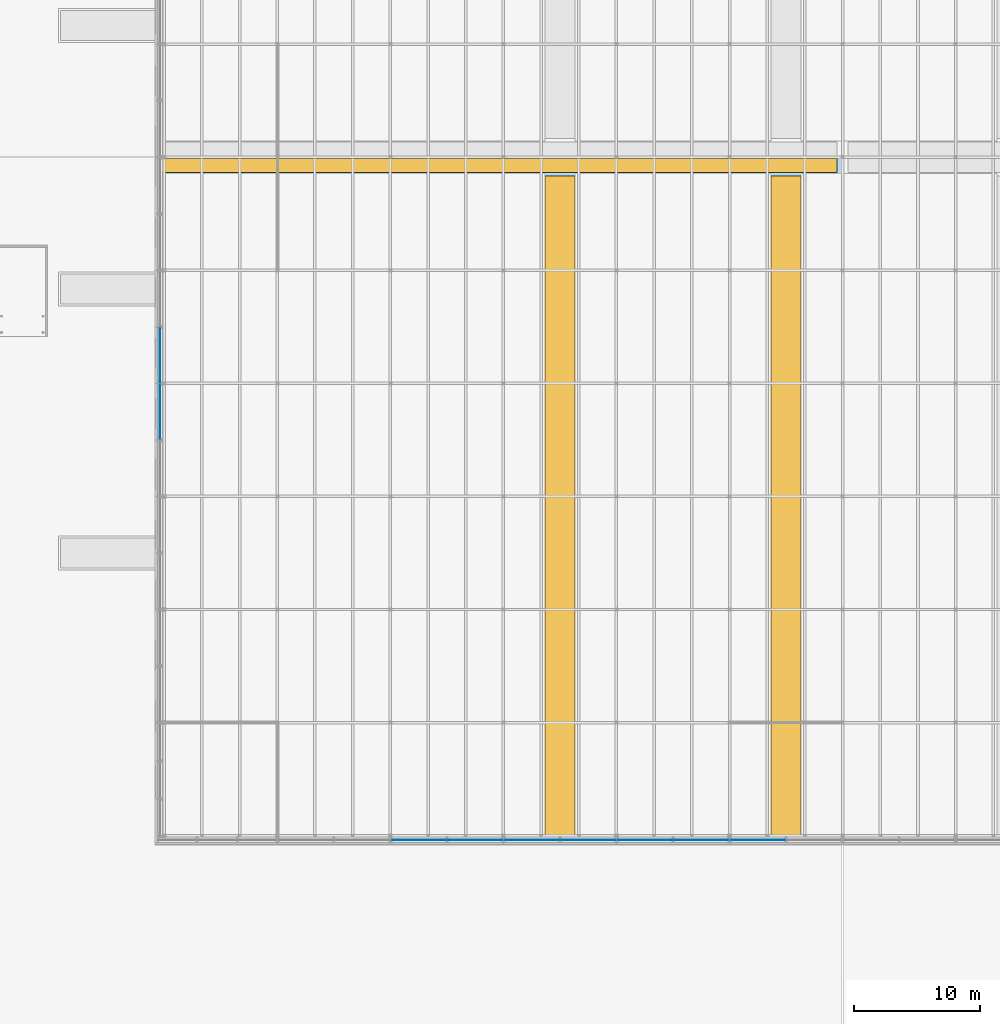
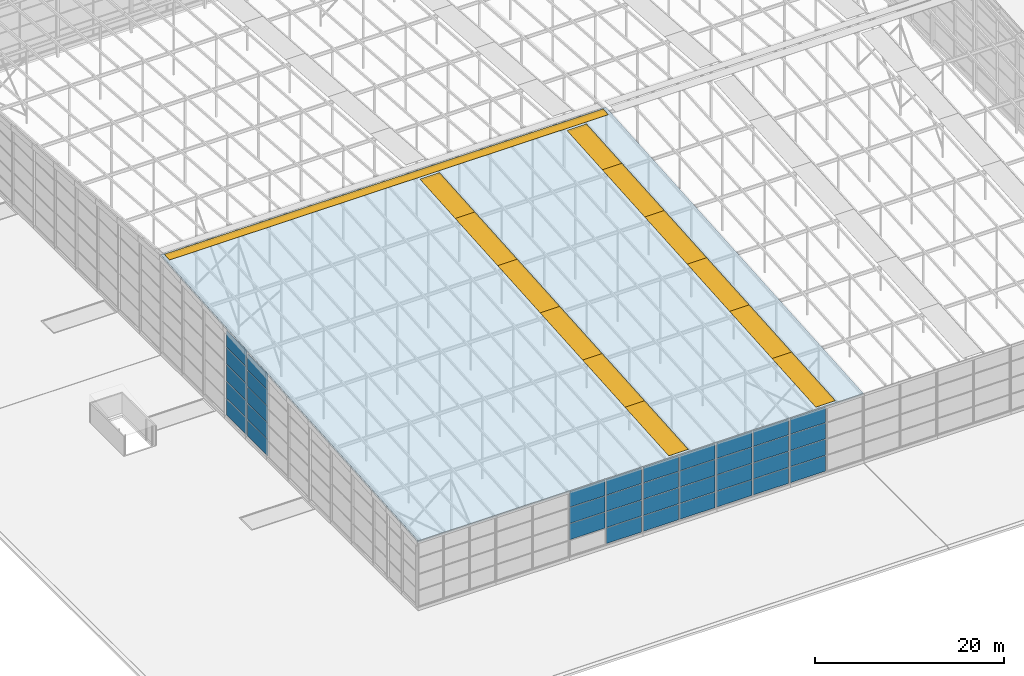
"""IFC4 building model written with IfcOpenShell, lengths in metres."""

from ifc_helpers import new_model, si_unit, direction, frame, origin, origin_2d, place, context, subcontext, project, spatial, polyline, rectangle, outline, extrude, material, layer, layer_set, type_object, element, fill, aggregate, save


model = new_model("IFC4")

# Units and contexts
model_context = context("Model", 3, precision=1e-05, world=origin(), true_north=direction((0.0, 1.0)))
body_context = subcontext(model_context, "Body", "Model", "MODEL_VIEW")
ifc_project = project(units=[si_unit("LENGTHUNIT", "METRE"), si_unit("AREAUNIT", "SQUARE_METRE"), si_unit("VOLUMEUNIT", "CUBIC_METRE"), si_unit("PLANEANGLEUNIT", "RADIAN"), si_unit("MASSUNIT", "GRAM", prefix="KILO")], contexts=[model_context])

# Site, building, storey
site_placement = place(None, origin())
site = spatial("IfcSite", under=ifc_project, at=site_placement, CompositionType="ELEMENT")
building_placement = place(site_placement, origin())
building = spatial("IfcBuilding", under=site, at=building_placement, Name="Silverbay Arena", CompositionType="ELEMENT")
storey_1_placement = place(building_placement, frame((0.0, 0.0, 47.10009765625)))
storey_1 = spatial("IfcBuildingStorey", under=building, at=storey_1_placement, Name="ROOF", CompositionType="ELEMENT", Elevation=47.10009765625)

# Slab, openings
ifc_material_1 = material(Name="Steel S350GD", Category="steel")
ifc_layer_1 = layer(ifc_material_1, 0.25)
ifc_layer_set_1 = layer_set([ifc_layer_1], Name="Steel S350GD")
slab_type = type_object("IfcSlabType", Name="Crown lid deck 250", PredefinedType="ROOF", material=ifc_layer_set_1)
slab_placement = place(storey_1_placement, frame((80.425048828125, 26.425048828125, 9.109130859375), z_axis=(0.0, -0.072032280133, 0.99740230129), x_axis=(1.0, 0.0, 0.0)))
slab = element("IfcSlab", 1, at=slab_placement, inside=storey_1, type_object=slab_type, Name="ROOF LID south 01", PredefinedType="ROOF", context=body_context, shape_type="SweptSolid", body=[
    extrude(outline(polyline([(0.0, 0.0), (54.530029296875, 0.0), (54.530029296875, 54.70705384945496), (0.0, 54.70705384945496), (0.0, 0.0)])), origin(), (0.0, 0.0, -1.0), 0.25),
])
placement_1 = place(slab_placement, origin())
opening_1 = element("IfcOpeningElement", 2, at=placement_1, cuts=slab, Name="Opening RL2", PredefinedType="OPENING", context=body_context, shape_type="SweptSolid", body=[
    extrude(outline(polyline([(30.875, 0.30078125), (33.27490234375, 0.30078125), (33.27490234375, 9.599853515625), (30.875, 9.599853515625), (30.875, 0.30078125)])), frame((0.0, 0.0, 0.10009765625)), (0.0, 0.0, -1.0), 0.449951171875),
])
placement_2 = place(slab_placement, origin())
opening_2 = element("IfcOpeningElement", 3, at=placement_2, cuts=slab, Name="Opening RL2", PredefinedType="OPENING", context=body_context, shape_type="SweptSolid", body=[
    extrude(outline(polyline([(30.875, 9.599853515625), (33.27490234375, 9.599853515625), (33.27490234375, 18.623291015625), (30.875, 18.623291015625), (30.875, 9.599853515625)])), frame((0.0, 0.0, 0.10009765625)), (0.0, 0.0, -1.0), 0.449951171875),
])
placement_3 = place(slab_placement, origin())
opening_3 = element("IfcOpeningElement", 4, at=placement_3, cuts=slab, Name="Opening RL2", PredefinedType="OPENING", context=body_context, shape_type="SweptSolid", body=[
    extrude(outline(polyline([(30.875, 18.623291015625), (33.27490234375, 18.623291015625), (33.27490234375, 27.646728515625), (30.875, 27.646728515625), (30.875, 18.623291015625)])), frame((0.0, 0.0, 0.10009765625)), (0.0, 0.0, -1.0), 0.449951171875),
])
placement_4 = place(slab_placement, origin())
opening_4 = element("IfcOpeningElement", 5, at=placement_4, cuts=slab, Name="Opening RL2", PredefinedType="OPENING", context=body_context, shape_type="SweptSolid", body=[
    extrude(outline(polyline([(30.875, 27.646728515625), (33.27490234375, 27.646728515625), (33.27490234375, 36.670166015625), (30.875, 36.670166015625), (30.875, 27.646728515625)])), frame((0.0, 0.0, 0.10009765625)), (0.0, 0.0, -1.0), 0.449951171875),
])
placement_5 = place(slab_placement, origin())
opening_5 = element("IfcOpeningElement", 6, at=placement_5, cuts=slab, Name="Opening RL2", PredefinedType="OPENING", context=body_context, shape_type="SweptSolid", body=[
    extrude(outline(polyline([(30.875, 36.670166015625), (33.27490234375, 36.670166015625), (33.27490234375, 45.693603515625), (30.875, 45.693603515625), (30.875, 36.670166015625)])), frame((0.0, 0.0, 0.10009765625)), (0.0, 0.0, -1.0), 0.449951171875),
])
placement_6 = place(slab_placement, origin())
opening_6 = element("IfcOpeningElement", 7, at=placement_6, cuts=slab, Name="Opening RL2", PredefinedType="OPENING", context=body_context, shape_type="SweptSolid", body=[
    extrude(outline(polyline([(30.875, 45.693603515625), (33.27490234375, 45.693603515625), (33.27490234375, 53.213134765625), (30.875, 53.213134765625), (30.875, 45.693603515625)])), frame((0.0, 0.0, 0.10009765625)), (0.0, 0.0, -1.0), 0.449951171875),
])
placement_7 = place(slab_placement, origin())
opening_7 = element("IfcOpeningElement", 8, at=placement_7, cuts=slab, Name="Opening RL2", PredefinedType="OPENING", context=body_context, shape_type="SweptSolid", body=[
    extrude(outline(polyline([(48.875, 0.30078125), (51.27490234375, 0.30078125), (51.27490234375, 9.599853515625), (48.875, 9.599853515625), (48.875, 0.30078125)])), frame((0.0, 0.0, 0.10009765625)), (0.0, 0.0, -1.0), 0.449951171875),
])
placement_8 = place(slab_placement, origin())
opening_8 = element("IfcOpeningElement", 9, at=placement_8, cuts=slab, Name="Opening RL2", PredefinedType="OPENING", context=body_context, shape_type="SweptSolid", body=[
    extrude(outline(polyline([(48.875, 9.599853515625), (51.27490234375, 9.599853515625), (51.27490234375, 18.623291015625), (48.875, 18.623291015625), (48.875, 9.599853515625)])), frame((0.0, 0.0, 0.10009765625)), (0.0, 0.0, -1.0), 0.449951171875),
])
placement_9 = place(slab_placement, origin())
opening_9 = element("IfcOpeningElement", 10, at=placement_9, cuts=slab, Name="Opening RL2", PredefinedType="OPENING", context=body_context, shape_type="SweptSolid", body=[
    extrude(outline(polyline([(48.875, 18.623291015625), (51.27490234375, 18.623291015625), (51.27490234375, 27.646728515625), (48.875, 27.646728515625), (48.875, 18.623291015625)])), frame((0.0, 0.0, 0.10009765625)), (0.0, 0.0, -1.0), 0.449951171875),
])
placement_10 = place(slab_placement, origin())
opening_10 = element("IfcOpeningElement", 11, at=placement_10, cuts=slab, Name="Opening RL2", PredefinedType="OPENING", context=body_context, shape_type="SweptSolid", body=[
    extrude(outline(polyline([(48.875, 27.646728515625), (51.27490234375, 27.646728515625), (51.27490234375, 36.670166015625), (48.875, 36.670166015625), (48.875, 27.646728515625)])), frame((0.0, 0.0, 0.10009765625)), (0.0, 0.0, -1.0), 0.449951171875),
])
placement_11 = place(slab_placement, origin())
opening_11 = element("IfcOpeningElement", 12, at=placement_11, cuts=slab, Name="Opening RL2", PredefinedType="OPENING", context=body_context, shape_type="SweptSolid", body=[
    extrude(outline(polyline([(48.875, 36.670166015625), (51.27490234375, 36.670166015625), (51.27490234375, 45.693603515625), (48.875, 45.693603515625), (48.875, 36.670166015625)])), frame((0.0, 0.0, 0.10009765625)), (0.0, 0.0, -1.0), 0.449951171875),
])
placement_12 = place(slab_placement, origin())
opening_12 = element("IfcOpeningElement", 13, at=placement_12, cuts=slab, Name="Opening RL2", PredefinedType="OPENING", context=body_context, shape_type="SweptSolid", body=[
    extrude(outline(polyline([(48.875, 45.693603515625), (51.27490234375, 45.693603515625), (51.27490234375, 53.213134765625), (48.875, 53.213134765625), (48.875, 45.693603515625)])), frame((0.0, 0.0, 0.10009765625)), (0.0, 0.0, -1.0), 0.449951171875),
])
placement_13 = place(slab_placement, origin())
opening_13 = element("IfcOpeningElement", 14, at=placement_13, cuts=slab, Name="Opening RL2", PredefinedType="OPENING", context=body_context, shape_type="SweptSolid", body=[
    extrude(outline(polyline([(0.39990234375, 53.513916015625), (54.1298828125, 53.513916015625), (54.1298828125, 54.61669921875), (0.39990234375, 54.61669921875), (0.39990234375, 53.513916015625)])), frame((0.0, 0.0, 0.10009765625)), (0.0, 0.0, -1.0), 0.449951171875),
])

# Storey
storey_2_placement = place(building_placement, frame((0.0, 0.0, 33.5)))
storey_2 = spatial("IfcBuildingStorey", under=building, at=storey_2_placement, Name="L05", CompositionType="ELEMENT", Elevation=33.5)

# Window
ifc_material_2 = material(Name="Aluminium framed glazing", Category="aluminium")
window_type = type_object("IfcWindowType", Name="Crown rooflight 2400", PartitioningType="SINGLE_PANEL", PredefinedType="SKYLIGHT", material=ifc_material_2)
window_1 = element("IfcWindow", 15, at=placement_1, inside=storey_2, type_object=window_type, Name="Crown rooflight south 01", OverallHeight=1.0, OverallWidth=1.0, PartitioningType="SINGLE_PANEL", PredefinedType="SKYLIGHT", context=body_context, shape_type="SweptSolid", body=[
    extrude(outline(polyline([(30.875, 0.30078125), (33.27490234375, 0.30078125), (33.27490234375, 9.599853515625), (30.875, 9.599853515625), (30.875, 0.30078125)])), origin(), (0.0, 0.0, -1.0), 0.050048828125),
])

fill(opening_1, window_1)

window_2 = element("IfcWindow", 16, at=placement_2, inside=storey_2, type_object=window_type, Name="Crown rooflight south 02", OverallHeight=1.0, OverallWidth=1.0, PartitioningType="SINGLE_PANEL", PredefinedType="SKYLIGHT", context=body_context, shape_type="SweptSolid", body=[
    extrude(outline(polyline([(30.875, 9.599853515625), (33.27490234375, 9.599853515625), (33.27490234375, 18.623291015625), (30.875, 18.623291015625), (30.875, 9.599853515625)])), origin(), (0.0, 0.0, -1.0), 0.050048828125),
])

fill(opening_2, window_2)

window_3 = element("IfcWindow", 17, at=placement_3, inside=storey_2, type_object=window_type, Name="Crown rooflight south 03", OverallHeight=1.0, OverallWidth=1.0, PartitioningType="SINGLE_PANEL", PredefinedType="SKYLIGHT", context=body_context, shape_type="SweptSolid", body=[
    extrude(outline(polyline([(30.875, 18.623291015625), (33.27490234375, 18.623291015625), (33.27490234375, 27.646728515625), (30.875, 27.646728515625), (30.875, 18.623291015625)])), origin(), (0.0, 0.0, -1.0), 0.050048828125),
])

fill(opening_3, window_3)

window_4 = element("IfcWindow", 18, at=placement_4, inside=storey_2, type_object=window_type, Name="Crown rooflight south 04", OverallHeight=1.0, OverallWidth=1.0, PartitioningType="SINGLE_PANEL", PredefinedType="SKYLIGHT", context=body_context, shape_type="SweptSolid", body=[
    extrude(outline(polyline([(30.875, 27.646728515625), (33.27490234375, 27.646728515625), (33.27490234375, 36.670166015625), (30.875, 36.670166015625), (30.875, 27.646728515625)])), origin(), (0.0, 0.0, -1.0), 0.050048828125),
])

fill(opening_4, window_4)

window_5 = element("IfcWindow", 19, at=placement_5, inside=storey_2, type_object=window_type, Name="Crown rooflight south 05", OverallHeight=1.0, OverallWidth=1.0, PartitioningType="SINGLE_PANEL", PredefinedType="SKYLIGHT", context=body_context, shape_type="SweptSolid", body=[
    extrude(outline(polyline([(30.875, 36.670166015625), (33.27490234375, 36.670166015625), (33.27490234375, 45.693603515625), (30.875, 45.693603515625), (30.875, 36.670166015625)])), origin(), (0.0, 0.0, -1.0), 0.050048828125),
])

fill(opening_5, window_5)

window_6 = element("IfcWindow", 20, at=placement_6, inside=storey_2, type_object=window_type, Name="Crown rooflight south 06", OverallHeight=1.0, OverallWidth=1.0, PartitioningType="SINGLE_PANEL", PredefinedType="SKYLIGHT", context=body_context, shape_type="SweptSolid", body=[
    extrude(outline(polyline([(30.875, 45.693603515625), (33.27490234375, 45.693603515625), (33.27490234375, 53.213134765625), (30.875, 53.213134765625), (30.875, 45.693603515625)])), origin(), (0.0, 0.0, -1.0), 0.050048828125),
])

fill(opening_6, window_6)

window_7 = element("IfcWindow", 21, at=placement_7, inside=storey_2, type_object=window_type, Name="Crown rooflight south 07", OverallHeight=1.0, OverallWidth=1.0, PartitioningType="SINGLE_PANEL", PredefinedType="SKYLIGHT", context=body_context, shape_type="SweptSolid", body=[
    extrude(outline(polyline([(48.875, 0.30078125), (51.27490234375, 0.30078125), (51.27490234375, 9.599853515625), (48.875, 9.599853515625), (48.875, 0.30078125)])), origin(), (0.0, 0.0, -1.0), 0.050048828125),
])

fill(opening_7, window_7)

window_8 = element("IfcWindow", 22, at=placement_8, inside=storey_2, type_object=window_type, Name="Crown rooflight south 08", OverallHeight=1.0, OverallWidth=1.0, PartitioningType="SINGLE_PANEL", PredefinedType="SKYLIGHT", context=body_context, shape_type="SweptSolid", body=[
    extrude(outline(polyline([(48.875, 9.599853515625), (51.27490234375, 9.599853515625), (51.27490234375, 18.623291015625), (48.875, 18.623291015625), (48.875, 9.599853515625)])), origin(), (0.0, 0.0, -1.0), 0.050048828125),
])

fill(opening_8, window_8)

window_9 = element("IfcWindow", 23, at=placement_9, inside=storey_2, type_object=window_type, Name="Crown rooflight south 09", OverallHeight=1.0, OverallWidth=1.0, PartitioningType="SINGLE_PANEL", PredefinedType="SKYLIGHT", context=body_context, shape_type="SweptSolid", body=[
    extrude(outline(polyline([(48.875, 18.623291015625), (51.27490234375, 18.623291015625), (51.27490234375, 27.646728515625), (48.875, 27.646728515625), (48.875, 18.623291015625)])), origin(), (0.0, 0.0, -1.0), 0.050048828125),
])

fill(opening_9, window_9)

window_10 = element("IfcWindow", 24, at=placement_10, inside=storey_2, type_object=window_type, Name="Crown rooflight south 10", OverallHeight=1.0, OverallWidth=1.0, PartitioningType="SINGLE_PANEL", PredefinedType="SKYLIGHT", context=body_context, shape_type="SweptSolid", body=[
    extrude(outline(polyline([(48.875, 27.646728515625), (51.27490234375, 27.646728515625), (51.27490234375, 36.670166015625), (48.875, 36.670166015625), (48.875, 27.646728515625)])), origin(), (0.0, 0.0, -1.0), 0.050048828125),
])

fill(opening_10, window_10)

window_11 = element("IfcWindow", 25, at=placement_11, inside=storey_2, type_object=window_type, Name="Crown rooflight south 11", OverallHeight=1.0, OverallWidth=1.0, PartitioningType="SINGLE_PANEL", PredefinedType="SKYLIGHT", context=body_context, shape_type="SweptSolid", body=[
    extrude(outline(polyline([(48.875, 36.670166015625), (51.27490234375, 36.670166015625), (51.27490234375, 45.693603515625), (48.875, 45.693603515625), (48.875, 36.670166015625)])), origin(), (0.0, 0.0, -1.0), 0.050048828125),
])

fill(opening_11, window_11)

window_12 = element("IfcWindow", 26, at=placement_12, inside=storey_2, type_object=window_type, Name="Crown rooflight south 12", OverallHeight=1.0, OverallWidth=1.0, PartitioningType="SINGLE_PANEL", PredefinedType="SKYLIGHT", context=body_context, shape_type="SweptSolid", body=[
    extrude(outline(polyline([(48.875, 45.693603515625), (51.27490234375, 45.693603515625), (51.27490234375, 53.213134765625), (48.875, 53.213134765625), (48.875, 45.693603515625)])), origin(), (0.0, 0.0, -1.0), 0.050048828125),
])

fill(opening_12, window_12)

window_13 = element("IfcWindow", 27, at=placement_13, inside=storey_2, type_object=window_type, Name="Crown ridge rooflight south 25", OverallHeight=1.0, OverallWidth=1.0, PartitioningType="SINGLE_PANEL", PredefinedType="SKYLIGHT", context=body_context, shape_type="SweptSolid", body=[
    extrude(outline(polyline([(0.39990234375, 53.513916015625), (54.1298828125, 53.513916015625), (54.1298828125, 54.61669921875), (0.39990234375, 54.61669921875), (0.39990234375, 53.513916015625)])), origin(), (0.0, 0.0, -1.0), 0.050048828125),
])

fill(opening_13, window_13)

# Curtain wall, plates
ifc_material_3 = material(Name="Aluminium framed glazing", Category="aluminium")
curtain_wall_type_1 = type_object("IfcCurtainWallType", Name="Curtain wall crown 9000 x 8425", PredefinedType="NOTDEFINED", material=ifc_material_3)
curtain_wall_1_placement = place(storey_1_placement, origin())
curtain_wall_1 = element("IfcCurtainWall", 28, at=curtain_wall_1_placement, inside=storey_1, type_object=curtain_wall_type_1, Name="ROOF CROWN CURTAIN WALL south bay 03", PredefinedType="NOTDEFINED")
ifc_material_4 = material(Name="Laminated glass", Category="glass")
ifc_layer_2 = layer(ifc_material_4, 0.031982421875)
ifc_layer_set_2 = layer_set([ifc_layer_2], Name="Laminated glass")
plate_type = type_object("IfcPlateType", Name="Glass panel 32", PredefinedType="CURTAIN_PANEL", material=ifc_layer_set_2)
plate_1_placement = place(storey_2_placement, frame((101.27490234375, 26.64990234375, 16.18603515625), z_axis=(0.0, 0.0, 1.0), x_axis=(1.0, 0.0, 0.0)))
plate_1 = element("IfcPlate", 29, at=plate_1_placement, type_object=plate_type, Name="CW62 panel 1.2", PredefinedType="CURTAIN_PANEL", context=body_context, shape_type="SweptSolid", body=[
    extrude(rectangle(XDim=4.35009765625, YDim=0.031982421875, at=origin_2d()), origin(), (0.0, 0.0, 1.0), 2.046142578125),
])
plate_2_placement = place(storey_2_placement, frame((101.27490234375, 26.64990234375, 18.29248046875), z_axis=(0.0, 0.0, 1.0), x_axis=(1.0, 0.0, 0.0)))
plate_2 = element("IfcPlate", 30, at=plate_2_placement, type_object=plate_type, Name="CW62 panel 1.3", PredefinedType="CURTAIN_PANEL", context=body_context, shape_type="SweptSolid", body=[
    extrude(rectangle(XDim=4.35009765625, YDim=0.031982421875, at=origin_2d()), origin(), (0.0, 0.0, 1.0), 2.046142578125),
])
plate_3_placement = place(storey_2_placement, frame((101.27490234375, 26.64990234375, 20.398681640625), z_axis=(0.0, 0.0, 1.0), x_axis=(1.0, 0.0, 0.0)))
plate_3 = element("IfcPlate", 31, at=plate_3_placement, type_object=plate_type, Name="CW62 panel 1.4", PredefinedType="CURTAIN_PANEL", context=body_context, shape_type="SweptSolid", body=[
    extrude(rectangle(XDim=4.35009765625, YDim=0.031982421875, at=origin_2d()), origin(), (0.0, 0.0, 1.0), 2.01611328125),
])
plate_4_placement = place(storey_2_placement, frame((105.72509765625, 26.64990234375, 14.110107421875), z_axis=(0.0, 0.0, 1.0), x_axis=(1.0, 0.0, 0.0)))
plate_4 = element("IfcPlate", 32, at=plate_4_placement, type_object=plate_type, Name="CW62 panel 2.1", PredefinedType="CURTAIN_PANEL", context=body_context, shape_type="SweptSolid", body=[
    extrude(rectangle(XDim=4.35009765625, YDim=0.031982421875, at=origin_2d()), origin(), (0.0, 0.0, 1.0), 2.01611328125),
])
plate_5_placement = place(storey_2_placement, frame((105.72509765625, 26.64990234375, 16.18603515625), z_axis=(0.0, 0.0, 1.0), x_axis=(1.0, 0.0, 0.0)))
plate_5 = element("IfcPlate", 33, at=plate_5_placement, type_object=plate_type, Name="CW62 panel 2.2", PredefinedType="CURTAIN_PANEL", context=body_context, shape_type="SweptSolid", body=[
    extrude(rectangle(XDim=4.35009765625, YDim=0.031982421875, at=origin_2d()), origin(), (0.0, 0.0, 1.0), 2.046142578125),
])
plate_6_placement = place(storey_2_placement, frame((105.72509765625, 26.64990234375, 18.29248046875), z_axis=(0.0, 0.0, 1.0), x_axis=(1.0, 0.0, 0.0)))
plate_6 = element("IfcPlate", 34, at=plate_6_placement, type_object=plate_type, Name="CW62 panel 2.3", PredefinedType="CURTAIN_PANEL", context=body_context, shape_type="SweptSolid", body=[
    extrude(rectangle(XDim=4.35009765625, YDim=0.031982421875, at=origin_2d()), origin(), (0.0, 0.0, 1.0), 2.046142578125),
])
plate_7_placement = place(storey_2_placement, frame((105.72509765625, 26.64990234375, 20.398681640625), z_axis=(0.0, 0.0, 1.0), x_axis=(1.0, 0.0, 0.0)))
plate_7 = element("IfcPlate", 35, at=plate_7_placement, type_object=plate_type, Name="CW62 panel 2.4", PredefinedType="CURTAIN_PANEL", context=body_context, shape_type="SweptSolid", body=[
    extrude(rectangle(XDim=4.35009765625, YDim=0.031982421875, at=origin_2d()), origin(), (0.0, 0.0, 1.0), 2.01611328125),
])
aggregate(curtain_wall_1, [plate_1, plate_2, plate_3, plate_4, plate_5, plate_6, plate_7])

curtain_wall_2_placement = place(storey_1_placement, origin())
curtain_wall_2 = element("IfcCurtainWall", 36, at=curtain_wall_2_placement, inside=storey_1, type_object=curtain_wall_type_1, Name="ROOF CROWN CURTAIN WALL south bay 04", PredefinedType="NOTDEFINED")
plate_8_placement = place(storey_2_placement, frame((110.27490234375, 26.64990234375, 14.110107421875), z_axis=(0.0, 0.0, 1.0), x_axis=(1.0, 0.0, 0.0)))
plate_8 = element("IfcPlate", 37, at=plate_8_placement, type_object=plate_type, Name="CW62 panel 1.1", PredefinedType="CURTAIN_PANEL", context=body_context, shape_type="SweptSolid", body=[
    extrude(rectangle(XDim=4.35009765625, YDim=0.031982421875, at=origin_2d()), origin(), (0.0, 0.0, 1.0), 2.01611328125),
])
plate_9_placement = place(storey_2_placement, frame((110.27490234375, 26.64990234375, 16.18603515625), z_axis=(0.0, 0.0, 1.0), x_axis=(1.0, 0.0, 0.0)))
plate_9 = element("IfcPlate", 38, at=plate_9_placement, type_object=plate_type, Name="CW62 panel 1.2", PredefinedType="CURTAIN_PANEL", context=body_context, shape_type="SweptSolid", body=[
    extrude(rectangle(XDim=4.35009765625, YDim=0.031982421875, at=origin_2d()), origin(), (0.0, 0.0, 1.0), 2.046142578125),
])
plate_10_placement = place(storey_2_placement, frame((110.27490234375, 26.64990234375, 18.29248046875), z_axis=(0.0, 0.0, 1.0), x_axis=(1.0, 0.0, 0.0)))
plate_10 = element("IfcPlate", 39, at=plate_10_placement, type_object=plate_type, Name="CW62 panel 1.3", PredefinedType="CURTAIN_PANEL", context=body_context, shape_type="SweptSolid", body=[
    extrude(rectangle(XDim=4.35009765625, YDim=0.031982421875, at=origin_2d()), origin(), (0.0, 0.0, 1.0), 2.046142578125),
])
plate_11_placement = place(storey_2_placement, frame((110.27490234375, 26.64990234375, 20.398681640625), z_axis=(0.0, 0.0, 1.0), x_axis=(1.0, 0.0, 0.0)))
plate_11 = element("IfcPlate", 40, at=plate_11_placement, type_object=plate_type, Name="CW62 panel 1.4", PredefinedType="CURTAIN_PANEL", context=body_context, shape_type="SweptSolid", body=[
    extrude(rectangle(XDim=4.35009765625, YDim=0.031982421875, at=origin_2d()), origin(), (0.0, 0.0, 1.0), 2.01611328125),
])
plate_12_placement = place(storey_2_placement, frame((114.72509765625, 26.64990234375, 14.110107421875), z_axis=(0.0, 0.0, 1.0), x_axis=(1.0, 0.0, 0.0)))
plate_12 = element("IfcPlate", 41, at=plate_12_placement, type_object=plate_type, Name="CW62 panel 2.1", PredefinedType="CURTAIN_PANEL", context=body_context, shape_type="SweptSolid", body=[
    extrude(rectangle(XDim=4.35009765625, YDim=0.031982421875, at=origin_2d()), origin(), (0.0, 0.0, 1.0), 2.01611328125),
])
plate_13_placement = place(storey_2_placement, frame((114.72509765625, 26.64990234375, 16.18603515625), z_axis=(0.0, 0.0, 1.0), x_axis=(1.0, 0.0, 0.0)))
plate_13 = element("IfcPlate", 42, at=plate_13_placement, type_object=plate_type, Name="CW62 panel 2.2", PredefinedType="CURTAIN_PANEL", context=body_context, shape_type="SweptSolid", body=[
    extrude(rectangle(XDim=4.35009765625, YDim=0.031982421875, at=origin_2d()), origin(), (0.0, 0.0, 1.0), 2.046142578125),
])
plate_14_placement = place(storey_2_placement, frame((114.72509765625, 26.64990234375, 18.29248046875), z_axis=(0.0, 0.0, 1.0), x_axis=(1.0, 0.0, 0.0)))
plate_14 = element("IfcPlate", 43, at=plate_14_placement, type_object=plate_type, Name="CW62 panel 2.3", PredefinedType="CURTAIN_PANEL", context=body_context, shape_type="SweptSolid", body=[
    extrude(rectangle(XDim=4.35009765625, YDim=0.031982421875, at=origin_2d()), origin(), (0.0, 0.0, 1.0), 2.046142578125),
])
plate_15_placement = place(storey_2_placement, frame((114.72509765625, 26.64990234375, 20.398681640625), z_axis=(0.0, 0.0, 1.0), x_axis=(1.0, 0.0, 0.0)))
plate_15 = element("IfcPlate", 44, at=plate_15_placement, type_object=plate_type, Name="CW62 panel 2.4", PredefinedType="CURTAIN_PANEL", context=body_context, shape_type="SweptSolid", body=[
    extrude(rectangle(XDim=4.35009765625, YDim=0.031982421875, at=origin_2d()), origin(), (0.0, 0.0, 1.0), 2.01611328125),
])
aggregate(curtain_wall_2, [plate_8, plate_9, plate_10, plate_11, plate_12, plate_13, plate_14, plate_15])

curtain_wall_3_placement = place(storey_1_placement, origin())
curtain_wall_3 = element("IfcCurtainWall", 45, at=curtain_wall_3_placement, inside=storey_1, type_object=curtain_wall_type_1, Name="ROOF CROWN CURTAIN WALL south bay 05", PredefinedType="NOTDEFINED")
plate_16_placement = place(storey_2_placement, frame((119.27490234375, 26.64990234375, 14.110107421875), z_axis=(0.0, 0.0, 1.0), x_axis=(1.0, 0.0, 0.0)))
plate_16 = element("IfcPlate", 46, at=plate_16_placement, type_object=plate_type, Name="CW62 panel 1.1", PredefinedType="CURTAIN_PANEL", context=body_context, shape_type="SweptSolid", body=[
    extrude(rectangle(XDim=4.35009765625, YDim=0.031982421875, at=origin_2d()), origin(), (0.0, 0.0, 1.0), 2.01611328125),
])
plate_17_placement = place(storey_2_placement, frame((119.27490234375, 26.64990234375, 16.18603515625), z_axis=(0.0, 0.0, 1.0), x_axis=(1.0, 0.0, 0.0)))
plate_17 = element("IfcPlate", 47, at=plate_17_placement, type_object=plate_type, Name="CW62 panel 1.2", PredefinedType="CURTAIN_PANEL", context=body_context, shape_type="SweptSolid", body=[
    extrude(rectangle(XDim=4.35009765625, YDim=0.031982421875, at=origin_2d()), origin(), (0.0, 0.0, 1.0), 2.046142578125),
])
plate_18_placement = place(storey_2_placement, frame((119.27490234375, 26.64990234375, 18.29248046875), z_axis=(0.0, 0.0, 1.0), x_axis=(1.0, 0.0, 0.0)))
plate_18 = element("IfcPlate", 48, at=plate_18_placement, type_object=plate_type, Name="CW62 panel 1.3", PredefinedType="CURTAIN_PANEL", context=body_context, shape_type="SweptSolid", body=[
    extrude(rectangle(XDim=4.35009765625, YDim=0.031982421875, at=origin_2d()), origin(), (0.0, 0.0, 1.0), 2.046142578125),
])
plate_19_placement = place(storey_2_placement, frame((119.27490234375, 26.64990234375, 20.398681640625), z_axis=(0.0, 0.0, 1.0), x_axis=(1.0, 0.0, 0.0)))
plate_19 = element("IfcPlate", 49, at=plate_19_placement, type_object=plate_type, Name="CW62 panel 1.4", PredefinedType="CURTAIN_PANEL", context=body_context, shape_type="SweptSolid", body=[
    extrude(rectangle(XDim=4.35009765625, YDim=0.031982421875, at=origin_2d()), origin(), (0.0, 0.0, 1.0), 2.01611328125),
])
plate_20_placement = place(storey_2_placement, frame((123.72509765625, 26.64990234375, 14.110107421875), z_axis=(0.0, 0.0, 1.0), x_axis=(1.0, 0.0, 0.0)))
plate_20 = element("IfcPlate", 50, at=plate_20_placement, type_object=plate_type, Name="CW62 panel 2.1", PredefinedType="CURTAIN_PANEL", context=body_context, shape_type="SweptSolid", body=[
    extrude(rectangle(XDim=4.35009765625, YDim=0.031982421875, at=origin_2d()), origin(), (0.0, 0.0, 1.0), 2.01611328125),
])
plate_21_placement = place(storey_2_placement, frame((123.72509765625, 26.64990234375, 16.18603515625), z_axis=(0.0, 0.0, 1.0), x_axis=(1.0, 0.0, 0.0)))
plate_21 = element("IfcPlate", 51, at=plate_21_placement, type_object=plate_type, Name="CW62 panel 2.2", PredefinedType="CURTAIN_PANEL", context=body_context, shape_type="SweptSolid", body=[
    extrude(rectangle(XDim=4.35009765625, YDim=0.031982421875, at=origin_2d()), origin(), (0.0, 0.0, 1.0), 2.046142578125),
])
plate_22_placement = place(storey_2_placement, frame((123.72509765625, 26.64990234375, 18.29248046875), z_axis=(0.0, 0.0, 1.0), x_axis=(1.0, 0.0, 0.0)))
plate_22 = element("IfcPlate", 52, at=plate_22_placement, type_object=plate_type, Name="CW62 panel 2.3", PredefinedType="CURTAIN_PANEL", context=body_context, shape_type="SweptSolid", body=[
    extrude(rectangle(XDim=4.35009765625, YDim=0.031982421875, at=origin_2d()), origin(), (0.0, 0.0, 1.0), 2.046142578125),
])
plate_23_placement = place(storey_2_placement, frame((123.72509765625, 26.64990234375, 20.398681640625), z_axis=(0.0, 0.0, 1.0), x_axis=(1.0, 0.0, 0.0)))
plate_23 = element("IfcPlate", 53, at=plate_23_placement, type_object=plate_type, Name="CW62 panel 2.4", PredefinedType="CURTAIN_PANEL", context=body_context, shape_type="SweptSolid", body=[
    extrude(rectangle(XDim=4.35009765625, YDim=0.031982421875, at=origin_2d()), origin(), (0.0, 0.0, 1.0), 2.01611328125),
])
aggregate(curtain_wall_3, [plate_16, plate_17, plate_18, plate_19, plate_20, plate_21, plate_22, plate_23])

curtain_wall_4_placement = place(storey_1_placement, origin())
curtain_wall_4 = element("IfcCurtainWall", 54, at=curtain_wall_4_placement, inside=storey_1, type_object=curtain_wall_type_1, Name="ROOF CROWN CURTAIN WALL south bay 06", PredefinedType="NOTDEFINED")
plate_24_placement = place(storey_2_placement, frame((128.27490234375, 26.64990234375, 14.110107421875), z_axis=(0.0, 0.0, 1.0), x_axis=(1.0, 0.0, 0.0)))
plate_24 = element("IfcPlate", 55, at=plate_24_placement, type_object=plate_type, Name="CW62 panel 1.1", PredefinedType="CURTAIN_PANEL", context=body_context, shape_type="SweptSolid", body=[
    extrude(rectangle(XDim=4.35009765625, YDim=0.031982421875, at=origin_2d()), origin(), (0.0, 0.0, 1.0), 2.01611328125),
])
plate_25_placement = place(storey_2_placement, frame((128.27490234375, 26.64990234375, 16.18603515625), z_axis=(0.0, 0.0, 1.0), x_axis=(1.0, 0.0, 0.0)))
plate_25 = element("IfcPlate", 56, at=plate_25_placement, type_object=plate_type, Name="CW62 panel 1.2", PredefinedType="CURTAIN_PANEL", context=body_context, shape_type="SweptSolid", body=[
    extrude(rectangle(XDim=4.35009765625, YDim=0.031982421875, at=origin_2d()), origin(), (0.0, 0.0, 1.0), 2.046142578125),
])
plate_26_placement = place(storey_2_placement, frame((128.27490234375, 26.64990234375, 18.29248046875), z_axis=(0.0, 0.0, 1.0), x_axis=(1.0, 0.0, 0.0)))
plate_26 = element("IfcPlate", 57, at=plate_26_placement, type_object=plate_type, Name="CW62 panel 1.3", PredefinedType="CURTAIN_PANEL", context=body_context, shape_type="SweptSolid", body=[
    extrude(rectangle(XDim=4.35009765625, YDim=0.031982421875, at=origin_2d()), origin(), (0.0, 0.0, 1.0), 2.046142578125),
])
plate_27_placement = place(storey_2_placement, frame((128.27490234375, 26.64990234375, 20.398681640625), z_axis=(0.0, 0.0, 1.0), x_axis=(1.0, 0.0, 0.0)))
plate_27 = element("IfcPlate", 58, at=plate_27_placement, type_object=plate_type, Name="CW62 panel 1.4", PredefinedType="CURTAIN_PANEL", context=body_context, shape_type="SweptSolid", body=[
    extrude(rectangle(XDim=4.35009765625, YDim=0.031982421875, at=origin_2d()), origin(), (0.0, 0.0, 1.0), 2.01611328125),
])
aggregate(curtain_wall_4, [plate_24, plate_25, plate_26, plate_27])

ifc_material_5 = material(Name="Aluminium framed glazing", Category="aluminium")
curtain_wall_type_2 = type_object("IfcCurtainWallType", Name="Curtain wall crown 4500 x 10725", PredefinedType="NOTDEFINED", material=ifc_material_5)
curtain_wall_5_placement = place(storey_1_placement, origin())
curtain_wall_5 = element("IfcCurtainWall", 59, at=curtain_wall_5_placement, inside=storey_1, type_object=curtain_wall_type_2, Name="ROOF CROWN CURTAIN WALL west bay 09", PredefinedType="NOTDEFINED")
plate_28_placement = place(storey_2_placement, frame((80.64990234375, 60.75, 14.10986328125), z_axis=(0.0, 0.0, 1.0), x_axis=(0.0, 1.0, 0.0)))
plate_28 = element("IfcPlate", 60, at=plate_28_placement, type_object=plate_type, Name="CW71 panel 1.1", PredefinedType="CURTAIN_PANEL", context=body_context, shape_type="SweptSolid", body=[
    extrude(rectangle(XDim=4.300048828125, YDim=0.031982421875, at=origin_2d()), origin(), (0.0, 0.0, 1.0), 2.054931640625),
])
plate_29_placement = place(storey_2_placement, frame((80.64990234375, 60.75, 16.22509765625), z_axis=(0.0, 0.0, 1.0), x_axis=(0.0, 1.0, 0.0)))
plate_29 = element("IfcPlate", 61, at=plate_29_placement, type_object=plate_type, Name="CW71 panel 1.2", PredefinedType="CURTAIN_PANEL", context=body_context, shape_type="SweptSolid", body=[
    extrude(rectangle(XDim=4.300048828125, YDim=0.031982421875, at=origin_2d()), origin(), (0.0, 0.0, 1.0), 2.0849609375),
])
plate_30_placement = place(storey_2_placement, frame((80.64990234375, 60.75, 18.3701171875), z_axis=(0.0, 0.0, 1.0), x_axis=(0.0, 1.0, 0.0)))
plate_30 = element("IfcPlate", 62, at=plate_30_placement, type_object=plate_type, Name="CW71 panel 1.3", PredefinedType="CURTAIN_PANEL", context=body_context, shape_type="SweptSolid", body=[
    extrude(rectangle(XDim=4.300048828125, YDim=0.031982421875, at=origin_2d()), origin(), (0.0, 0.0, 1.0), 2.0849609375),
])
plate_31_placement = place(storey_2_placement, frame((80.64990234375, 60.75, 20.51513671875), z_axis=(0.0, 0.0, 1.0), x_axis=(0.0, 1.0, 0.0)))
plate_31 = element("IfcPlate", 63, at=plate_31_placement, type_object=plate_type, Name="CW71 panel 1.4", PredefinedType="CURTAIN_PANEL", context=body_context, shape_type="SweptSolid", body=[
    extrude(rectangle(XDim=4.300048828125, YDim=0.031982421875, at=origin_2d()), origin(), (0.0, 0.0, 1.0), 2.0849609375),
])
plate_32_placement = place(storey_2_placement, frame((80.64990234375, 60.75, 22.66015625), z_axis=(0.0, 0.0, 1.0), x_axis=(0.0, 1.0, 0.0)))
plate_32 = element("IfcPlate", 64, at=plate_32_placement, type_object=plate_type, Name="CW71 panel 1.5", PredefinedType="CURTAIN_PANEL", context=body_context, shape_type="SweptSolid", body=[
    extrude(rectangle(XDim=4.300048828125, YDim=0.031982421875, at=origin_2d()), origin(), (0.0, 0.0, 1.0), 2.054931640625),
])
aggregate(curtain_wall_5, [plate_28, plate_29, plate_30, plate_31, plate_32])

ifc_material_6 = material(Name="Aluminium framed glazing", Category="aluminium")
curtain_wall_type_3 = type_object("IfcCurtainWallType", Name="Curtain wall crown 4500 x 11050", PredefinedType="NOTDEFINED", material=ifc_material_6)
curtain_wall_6_placement = place(storey_1_placement, origin())
curtain_wall_6 = element("IfcCurtainWall", 65, at=curtain_wall_6_placement, inside=storey_1, type_object=curtain_wall_type_3, Name="ROOF CROWN CURTAIN WALL west bay 10", PredefinedType="NOTDEFINED")
plate_33_placement = place(storey_2_placement, frame((80.64990234375, 65.25, 14.10986328125), z_axis=(0.0, 0.0, 1.0), x_axis=(0.0, 1.0, 0.0)))
plate_33 = element("IfcPlate", 66, at=plate_33_placement, type_object=plate_type, Name="CW72 panel 1.1", PredefinedType="CURTAIN_PANEL", context=body_context, shape_type="SweptSolid", body=[
    extrude(rectangle(XDim=4.300048828125, YDim=0.031982421875, at=origin_2d()), origin(), (0.0, 0.0, 1.0), 2.1201171875),
])
plate_34_placement = place(storey_2_placement, frame((80.64990234375, 65.25, 16.2900390625), z_axis=(0.0, 0.0, 1.0), x_axis=(0.0, 1.0, 0.0)))
plate_34 = element("IfcPlate", 67, at=plate_34_placement, type_object=plate_type, Name="CW72 panel 1.2", PredefinedType="CURTAIN_PANEL", context=body_context, shape_type="SweptSolid", body=[
    extrude(rectangle(XDim=4.300048828125, YDim=0.031982421875, at=origin_2d()), origin(), (0.0, 0.0, 1.0), 2.14990234375),
])
plate_35_placement = place(storey_2_placement, frame((80.64990234375, 65.25, 18.5), z_axis=(0.0, 0.0, 1.0), x_axis=(0.0, 1.0, 0.0)))
plate_35 = element("IfcPlate", 68, at=plate_35_placement, type_object=plate_type, Name="CW72 panel 1.3", PredefinedType="CURTAIN_PANEL", context=body_context, shape_type="SweptSolid", body=[
    extrude(rectangle(XDim=4.300048828125, YDim=0.031982421875, at=origin_2d()), origin(), (0.0, 0.0, 1.0), 2.14990234375),
])
plate_36_placement = place(storey_2_placement, frame((80.64990234375, 65.25, 20.7099609375), z_axis=(0.0, 0.0, 1.0), x_axis=(0.0, 1.0, 0.0)))
plate_36 = element("IfcPlate", 69, at=plate_36_placement, type_object=plate_type, Name="CW72 panel 1.4", PredefinedType="CURTAIN_PANEL", context=body_context, shape_type="SweptSolid", body=[
    extrude(rectangle(XDim=4.300048828125, YDim=0.031982421875, at=origin_2d()), origin(), (0.0, 0.0, 1.0), 2.14990234375),
])
plate_37_placement = place(storey_2_placement, frame((80.64990234375, 65.25, 22.919921875), z_axis=(0.0, 0.0, 1.0), x_axis=(0.0, 1.0, 0.0)))
plate_37 = element("IfcPlate", 70, at=plate_37_placement, type_object=plate_type, Name="CW72 panel 1.5", PredefinedType="CURTAIN_PANEL", context=body_context, shape_type="SweptSolid", body=[
    extrude(rectangle(XDim=4.300048828125, YDim=0.031982421875, at=origin_2d()), origin(), (0.0, 0.0, 1.0), 2.1201171875),
])
aggregate(curtain_wall_6, [plate_33, plate_34, plate_35, plate_36, plate_37])

save(model, "model.ifc")
